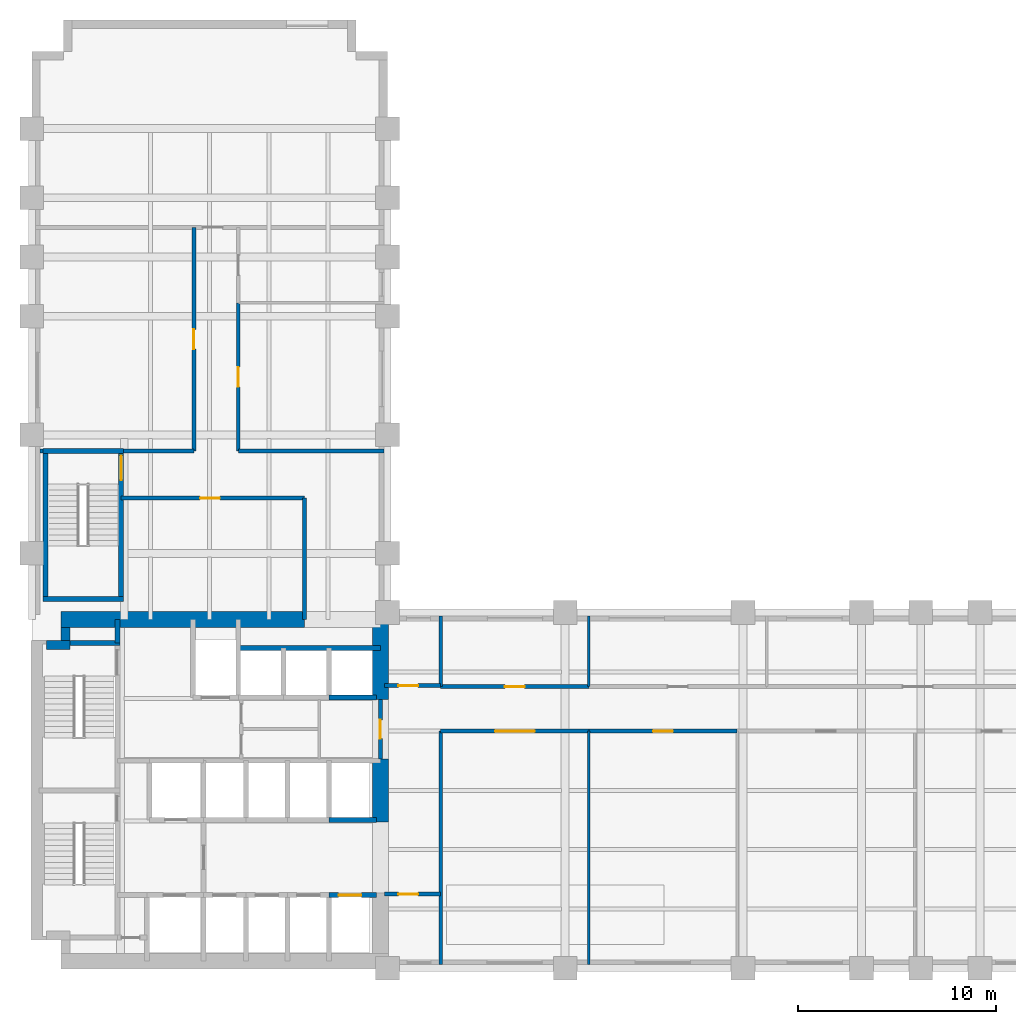
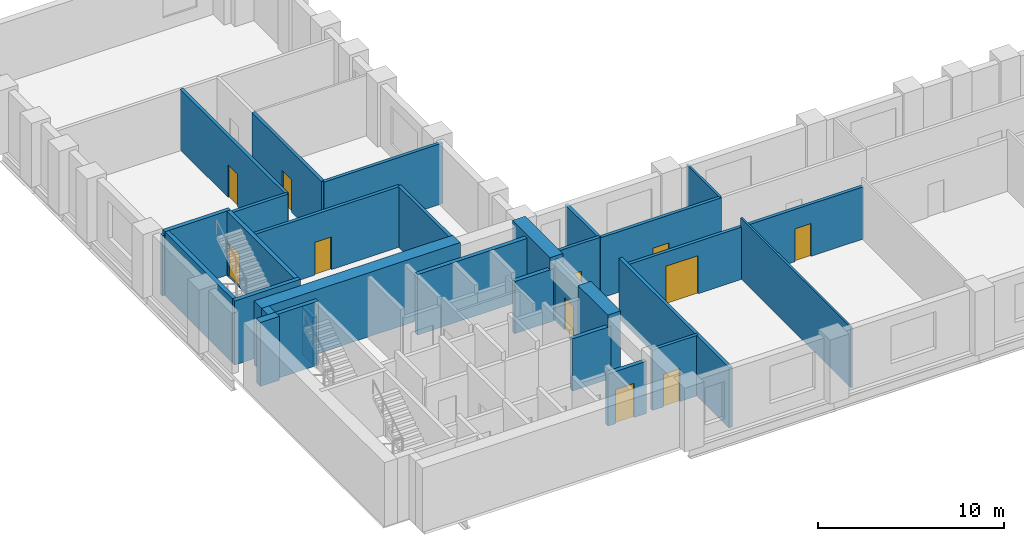
# One storey, part 4 of 7: 32 walls, 11 doors, 11 openings.
"""IFC4 building model written with IfcOpenShell, lengths in metres."""

from ifc_helpers import new_model, si_unit, direction, frame, frame_2d, origin, place, context, subcontext, project, spatial, rectangle, extrude, material, layer, layer_set, type_object, element, fill, save


model = new_model("IFC4")

# Units and contexts
model_context = context("Model", 3, precision=1e-05, world=origin(), true_north=direction((0.0, 1.0)))
body_context = subcontext(model_context, "Body", "Model", "MODEL_VIEW")
ifc_project = project(units=[si_unit("LENGTHUNIT", "METRE"), si_unit("AREAUNIT", "SQUARE_METRE"), si_unit("VOLUMEUNIT", "CUBIC_METRE"), si_unit("PLANEANGLEUNIT", "RADIAN"), si_unit("MASSUNIT", "GRAM", prefix="KILO")], contexts=[model_context])

# Site, building, storey
site_placement = place(None, origin())
site = spatial("IfcSite", under=ifc_project, at=site_placement, CompositionType="ELEMENT")
building_placement = place(site_placement, origin())
building = spatial("IfcBuilding", under=site, at=building_placement, Name="Mawjdan Bourse Tower", CompositionType="ELEMENT")
storey_placement = place(building_placement, frame((0.0, 0.0, 67.800048828125)))
storey = spatial("IfcBuildingStorey", under=building, at=storey_placement, Name="L15", CompositionType="ELEMENT", Elevation=67.800048828125)

# Wall, opening, door
ifc_material_1 = material(Name="Gypsum Fireboard Assembly")
ifc_layer_1 = layer(ifc_material_1, 0.199951171875)
ifc_layer_set_1 = layer_set([ifc_layer_1], Name="Gypsum Fireboard Assembly")
wall_type_1 = type_object("IfcWallType", Name="WL-CMP-200", PredefinedType="PARTITIONING", material=ifc_layer_set_1)
wall_1_placement = place(storey_placement, frame((23.64990234375, 13.60009765625, 0.0), z_axis=(0.0, 0.0, 1.0), x_axis=(0.0, 1.0, 0.0)))
wall_1 = element("IfcWall", 1, at=wall_1_placement, inside=storey, type_object=wall_type_1, Name="L15 Core Restroom East Enclosing Wall", PredefinedType="PARTITIONING", context=body_context, shape_type="SweptSolid", body=[
    extrude(rectangle(XDim=3.0, YDim=0.199951171875, at=frame_2d((1.5, 0.0))), origin(), (0.0, 0.0, 1.0), 3.969970703125),
])
opening_1_placement = place(wall_1_placement, frame((1.02001953125, 0.0, 0.0)))
opening_1 = element("IfcOpeningElement", 2, at=opening_1_placement, cuts=wall_1, Name="Opening D-L15-16", PredefinedType="OPENING", context=body_context, shape_type="SweptSolid", body=[
    extrude(rectangle(XDim=0.949951171875, YDim=2.10009765625, at=frame_2d((0.47509765625, 1.050048828125))), frame((0.0, 0.10986328125, 0.0), z_axis=(0.0, -1.0, 0.0), x_axis=(1.0, 0.0, 0.0)), (0.0, 0.0, 1.0), 0.219970703125),
])
ifc_material_2 = material(Name="Moisture-Resistant Laminate Timber", Category="wood")
door_type_1 = type_object("IfcDoorType", Name="DR-WET-0950", OperationType="NOTDEFINED", PredefinedType="DOOR", material=ifc_material_2)
door_1_placement = place(opening_1_placement, origin())
door_1 = element("IfcDoor", 3, at=door_1_placement, inside=storey, type_object=door_type_1, Name="L15 Female Restroom East Entry Door D-L15-16", OperationType="SINGLE_SWING_RIGHT", OverallHeight=2.10009765625, OverallWidth=0.949951171875, PredefinedType="DOOR", context=body_context, shape_type="SweptSolid", body=[
    extrude(rectangle(XDim=0.949951171875, YDim=2.10009765625, at=frame_2d((0.47509765625, 1.050048828125))), frame((0.0, 0.02490234375, 0.0), z_axis=(0.0, -1.0, 0.0), x_axis=(1.0, 0.0, 0.0)), (0.0, 0.0, 1.0), 0.050048828125),
])
fill(opening_1, door_1)

wall_2_placement = place(storey_placement, frame((23.85009765625, 6.75, 0.0), z_axis=(0.0, 0.0, 1.0), x_axis=(1.0, 0.0, 0.0)))
wall_2 = element("IfcWall", 4, at=wall_2_placement, inside=storey, type_object=wall_type_1, Name="L15 West Pocket North Wall", PredefinedType="PARTITIONING", context=body_context, shape_type="SweptSolid", body=[
    extrude(rectangle(XDim=2.849853515625, YDim=0.199951171875, at=frame_2d((1.4248046875, 0.0))), origin(), (0.0, 0.0, 1.0), 3.969970703125),
])
opening_2_placement = place(wall_2_placement, frame((0.699951171875, 0.0, 0.0)))
opening_2 = element("IfcOpeningElement", 5, at=opening_2_placement, cuts=wall_2, Name="Opening D-L15-18", PredefinedType="OPENING", context=body_context, shape_type="SweptSolid", body=[
    extrude(rectangle(XDim=1.0, YDim=2.14990234375, at=frame_2d((0.5, 1.074951171875))), frame((0.0, 0.10986328125, 0.0), z_axis=(0.0, -1.0, 0.0), x_axis=(1.0, 0.0, 0.0)), (0.0, 0.0, 1.0), 0.219970703125),
])
ifc_material_3 = material(Name="Hardwood Acoustic Leaf", Category="wood")
door_type_2 = type_object("IfcDoorType", Name="DR-OFC-1000", OperationType="NOTDEFINED", PredefinedType="DOOR", material=ifc_material_3)
door_2_placement = place(opening_2_placement, origin())
door_2 = element("IfcDoor", 6, at=door_2_placement, inside=storey, type_object=door_type_2, Name="L15 West Pocket Office Door D-L15-18", OperationType="SINGLE_SWING_RIGHT", OverallHeight=2.14990234375, OverallWidth=1.0, PredefinedType="DOOR", context=body_context, shape_type="SweptSolid", body=[
    extrude(rectangle(XDim=1.0, YDim=2.14990234375, at=frame_2d((0.5, 1.074951171875))), frame((0.0, 0.02490234375, 0.0), z_axis=(0.0, -1.0, 0.0), x_axis=(1.0, 0.0, 0.0)), (0.0, 0.0, 1.0), 0.050048828125),
])
fill(opening_2, door_2)

wall_3_placement = place(storey_placement, frame((23.85009765625, 17.300048828125, 0.0), z_axis=(0.0, 0.0, 1.0), x_axis=(1.0, 0.0, 0.0)))
wall_3 = element("IfcWall", 7, at=wall_3_placement, inside=storey, type_object=wall_type_1, Name="L15 West North Pocket Wall", PredefinedType="PARTITIONING", context=body_context, shape_type="SweptSolid", body=[
    extrude(rectangle(XDim=2.849853515625, YDim=0.199951171875, at=frame_2d((1.4248046875, 0.0))), origin(), (0.0, 0.0, 1.0), 3.969970703125),
])
opening_3_placement = place(wall_3_placement, frame((0.699951171875, 0.0, 0.0)))
opening_3 = element("IfcOpeningElement", 8, at=opening_3_placement, cuts=wall_3, Name="Opening D-L15-19", PredefinedType="OPENING", context=body_context, shape_type="SweptSolid", body=[
    extrude(rectangle(XDim=1.0, YDim=2.14990234375, at=frame_2d((0.5, 1.074951171875))), frame((0.0, 0.10986328125, 0.0), z_axis=(0.0, -1.0, 0.0), x_axis=(1.0, 0.0, 0.0)), (0.0, 0.0, 1.0), 0.219970703125),
])
door_3_placement = place(opening_3_placement, origin())
door_3 = element("IfcDoor", 9, at=door_3_placement, inside=storey, type_object=door_type_2, Name="L15 West North Pocket Door D-L15-19", OperationType="SINGLE_SWING_LEFT", OverallHeight=2.14990234375, OverallWidth=1.0, PredefinedType="DOOR", context=body_context, shape_type="SweptSolid", body=[
    extrude(rectangle(XDim=1.0, YDim=2.14990234375, at=frame_2d((0.5, 1.074951171875))), frame((0.0, 0.02490234375, 0.0), z_axis=(0.0, -1.0, 0.0), x_axis=(1.0, 0.0, 0.0)), (0.0, 0.0, 1.0), 0.050048828125),
])
fill(opening_3, door_3)

# Walls
wall_4_placement = place(storey_placement, frame((26.699951171875, 3.179931640625, 0.0), z_axis=(0.0, 0.0, 1.0), x_axis=(0.0, 1.0, 0.0)))
element("IfcWall", 10, at=wall_4_placement, inside=storey, type_object=wall_type_1, Name="L15 Vestibule South East Wall", PredefinedType="PARTITIONING", context=body_context, shape_type="SweptSolid", body=[
    extrude(rectangle(XDim=11.820068359375, YDim=0.199951171875, at=frame_2d((5.91015625, 0.0))), origin(), (0.0, 0.0, 1.0), 3.969970703125),
])
wall_5_placement = place(storey_placement, frame((26.699951171875, 17.25, 0.0), z_axis=(0.0, 0.0, 1.0), x_axis=(0.0, 1.0, 0.0)))
element("IfcWall", 11, at=wall_5_placement, inside=storey, type_object=wall_type_1, Name="L15 Vestibule North East Wall", PredefinedType="PARTITIONING", context=body_context, shape_type="SweptSolid", body=[
    extrude(rectangle(XDim=3.570068359375, YDim=0.199951171875, at=frame_2d((1.78515625, 0.0))), origin(), (0.0, 0.0, 1.0), 3.969970703125),
])

# Wall, opening, door
wall_6_placement = place(storey_placement, frame((26.699951171875, 15.0, 0.0), z_axis=(0.0, 0.0, 1.0), x_axis=(1.0, 0.0, 0.0)))
wall_6 = element("IfcWall", 12, at=wall_6_placement, inside=storey, type_object=wall_type_1, Name="L15 Trading Floor Corridor Wall", PredefinedType="PARTITIONING", context=body_context, shape_type="SweptSolid", body=[
    extrude(rectangle(XDim=7.5, YDim=0.199951171875, at=frame_2d((3.75, 0.0))), origin(), (0.0, 0.0, 1.0), 3.426025390625),
])
opening_4_placement = place(wall_6_placement, frame((2.75, 0.0, 0.0)))
opening_4 = element("IfcOpeningElement", 13, at=opening_4_placement, cuts=wall_6, Name="Opening D-L15-20", PredefinedType="OPENING", context=body_context, shape_type="SweptSolid", body=[
    extrude(rectangle(XDim=2.0, YDim=2.5, at=frame_2d((1.0, 1.25))), frame((0.0, 0.10986328125, 0.0), z_axis=(0.0, -1.0, 0.0), x_axis=(1.0, 0.0, 0.0)), (0.0, 0.0, 1.0), 0.219970703125),
])
ifc_material_4 = material(Name="Acoustic Veneered Timber", Category="wood")
door_type_3 = type_object("IfcDoorType", Name="DR-ASM-2000", OperationType="DOUBLE_DOOR_SINGLE_SWING", PredefinedType="DOOR", material=ifc_material_4)
door_4_placement = place(opening_4_placement, origin())
door_4 = element("IfcDoor", 14, at=door_4_placement, inside=storey, type_object=door_type_3, Name="L15 Trading Floor Door D-L15-20", OperationType="DOUBLE_DOOR_SINGLE_SWING", OverallHeight=2.5, OverallWidth=2.0, PredefinedType="DOOR", context=body_context, shape_type="SweptSolid", body=[
    extrude(rectangle(XDim=2.0, YDim=2.5, at=frame_2d((1.0, 1.25))), frame((0.0, 0.02490234375, 0.0), z_axis=(0.0, -1.0, 0.0), x_axis=(1.0, 0.0, 0.0)), (0.0, 0.0, 1.0), 0.050048828125),
])
fill(opening_4, door_4)

wall_7_placement = place(storey_placement, frame((34.199951171875, 15.0, 0.0), z_axis=(0.0, 0.0, 1.0), x_axis=(1.0, 0.0, 0.0)))
wall_7 = element("IfcWall", 15, at=wall_7_placement, inside=storey, type_object=wall_type_1, Name="L15 Fixed Income Office Corridor Wall", PredefinedType="PARTITIONING", context=body_context, shape_type="SweptSolid", body=[
    extrude(rectangle(XDim=7.5, YDim=0.199951171875, at=frame_2d((3.75, 0.0))), origin(), (0.0, 0.0, 1.0), 3.426025390625),
])
opening_5_placement = place(wall_7_placement, frame((3.25, 0.0, 0.0)))
opening_5 = element("IfcOpeningElement", 16, at=opening_5_placement, cuts=wall_7, Name="Opening D-L15-21", PredefinedType="OPENING", context=body_context, shape_type="SweptSolid", body=[
    extrude(rectangle(XDim=1.0, YDim=2.14990234375, at=frame_2d((0.5, 1.074951171875))), frame((0.0, 0.10986328125, 0.0), z_axis=(0.0, -1.0, 0.0), x_axis=(1.0, 0.0, 0.0)), (0.0, 0.0, 1.0), 0.219970703125),
])
door_5_placement = place(opening_5_placement, origin())
door_5 = element("IfcDoor", 17, at=door_5_placement, inside=storey, type_object=door_type_2, Name="L15 Fixed Income Office Door D-L15-21", OperationType="SINGLE_SWING_RIGHT", OverallHeight=2.14990234375, OverallWidth=1.0, PredefinedType="DOOR", context=body_context, shape_type="SweptSolid", body=[
    extrude(rectangle(XDim=1.0, YDim=2.14990234375, at=frame_2d((0.5, 1.074951171875))), frame((0.0, 0.02490234375, 0.0), z_axis=(0.0, -1.0, 0.0), x_axis=(1.0, 0.0, 0.0)), (0.0, 0.0, 1.0), 0.050048828125),
])
fill(opening_5, door_5)

wall_8_placement = place(storey_placement, frame((26.699951171875, 17.25, 0.0), z_axis=(0.0, 0.0, 1.0), x_axis=(1.0, 0.0, 0.0)))
wall_8 = element("IfcWall", 18, at=wall_8_placement, inside=storey, type_object=wall_type_1, Name="L15 Executive Office Corridor Wall", PredefinedType="PARTITIONING", context=body_context, shape_type="SweptSolid", body=[
    extrude(rectangle(XDim=7.5, YDim=0.199951171875, at=frame_2d((3.75, 0.0))), origin(), (0.0, 0.0, 1.0), 3.969970703125),
])
opening_6_placement = place(wall_8_placement, frame((3.25, 0.0, 0.0)))
opening_6 = element("IfcOpeningElement", 19, at=opening_6_placement, cuts=wall_8, Name="Opening D-L15-24", PredefinedType="OPENING", context=body_context, shape_type="SweptSolid", body=[
    extrude(rectangle(XDim=1.0, YDim=2.14990234375, at=frame_2d((0.5, 1.074951171875))), frame((0.0, 0.10986328125, 0.0), z_axis=(0.0, -1.0, 0.0), x_axis=(1.0, 0.0, 0.0)), (0.0, 0.0, 1.0), 0.219970703125),
])
door_6_placement = place(opening_6_placement, origin())
door_6 = element("IfcDoor", 20, at=door_6_placement, inside=storey, type_object=door_type_2, Name="L15 Executive Office Door D-L15-24", OperationType="SINGLE_SWING_LEFT", OverallHeight=2.14990234375, OverallWidth=1.0, PredefinedType="DOOR", context=body_context, shape_type="SweptSolid", body=[
    extrude(rectangle(XDim=1.0, YDim=2.14990234375, at=frame_2d((0.5, 1.074951171875))), frame((0.0, 0.02490234375, 0.0), z_axis=(0.0, -1.0, 0.0), x_axis=(1.0, 0.0, 0.0)), (0.0, 0.0, 1.0), 0.050048828125),
])
fill(opening_6, door_6)

wall_9_placement = place(storey_placement, frame((10.52001953125, 26.800048828125, 0.0), z_axis=(0.0, 0.0, 1.0), x_axis=(1.0, 0.0, 0.0)))
wall_9 = element("IfcWall", 21, at=wall_9_placement, inside=storey, type_object=wall_type_1, Name="L15 North Throat North Wall", PredefinedType="PARTITIONING", context=body_context, shape_type="SweptSolid", body=[
    extrude(rectangle(XDim=9.280029296875, YDim=0.199951171875, at=frame_2d((4.64013671875, 0.0))), origin(), (0.0, 0.0, 1.0), 3.969970703125),
])
opening_7_placement = place(wall_9_placement, frame((4.0, 0.0, 0.0)))
opening_7 = element("IfcOpeningElement", 22, at=opening_7_placement, cuts=wall_9, Name="Opening D-L15-28", PredefinedType="OPENING", context=body_context, shape_type="SweptSolid", body=[
    extrude(rectangle(XDim=1.0, YDim=2.14990234375, at=frame_2d((0.5, 1.074951171875))), frame((0.0, 0.10986328125, 0.0), z_axis=(0.0, -1.0, 0.0), x_axis=(1.0, 0.0, 0.0)), (0.0, 0.0, 1.0), 0.219970703125),
])
door_7_placement = place(opening_7_placement, origin())
door_7 = element("IfcDoor", 23, at=door_7_placement, inside=storey, type_object=door_type_2, Name="L15 North Throat Suite Door D-L15-28", OperationType="SINGLE_SWING_RIGHT", OverallHeight=2.14990234375, OverallWidth=1.0, PredefinedType="DOOR", context=body_context, shape_type="SweptSolid", body=[
    extrude(rectangle(XDim=1.0, YDim=2.14990234375, at=frame_2d((0.5, 1.074951171875))), frame((0.0, 0.02490234375, 0.0), z_axis=(0.0, -1.0, 0.0), x_axis=(1.0, 0.0, 0.0)), (0.0, 0.0, 1.0), 0.050048828125),
])
fill(opening_7, door_7)

# Walls
wall_10_placement = place(storey_placement, frame((19.800048828125, 20.64990234375, 0.0), z_axis=(0.0, 0.0, 1.0), x_axis=(0.0, 1.0, 0.0)))
element("IfcWall", 24, at=wall_10_placement, inside=storey, type_object=wall_type_1, Name="L15 North Throat East Wall", PredefinedType="PARTITIONING", context=body_context, shape_type="SweptSolid", body=[
    extrude(rectangle(XDim=6.150146484375, YDim=0.199951171875, at=frame_2d((3.0751953125, 0.0))), origin(), (0.0, 0.0, 1.0), 3.969970703125),
])
wall_11_placement = place(storey_placement, frame((6.419921875, 29.179931640625, 0.0), z_axis=(0.0, 0.0, 1.0), x_axis=(1.0, 0.0, 0.0)))
element("IfcWall", 25, at=wall_11_placement, inside=storey, type_object=wall_type_1, Name="L15 North West Band ST3 West Return", PredefinedType="PARTITIONING", context=body_context, shape_type="SweptSolid", body=[
    extrude(rectangle(XDim=0.135009765625, YDim=0.199951171875, at=frame_2d((0.0673828125, 0.0))), origin(), (0.0, 0.0, 1.0), 3.969970703125),
])
wall_12_placement = place(storey_placement, frame((10.6298828125, 29.179931640625, 0.0), z_axis=(0.0, 0.0, 1.0), x_axis=(1.0, 0.0, 0.0)))
element("IfcWall", 26, at=wall_12_placement, inside=storey, type_object=wall_type_1, Name="L15 North West Band South Wall", PredefinedType="PARTITIONING", context=body_context, shape_type="SweptSolid", body=[
    extrude(rectangle(XDim=3.570068359375, YDim=0.199951171875, at=frame_2d((1.78515625, 0.0))), origin(), (0.0, 0.0, 1.0), 3.969970703125),
])
wall_13_placement = place(storey_placement, frame((16.449951171875, 29.179931640625, 0.0), z_axis=(0.0, 0.0, 1.0), x_axis=(1.0, 0.0, 0.0)))
element("IfcWall", 27, at=wall_13_placement, inside=storey, type_object=wall_type_1, Name="L15 North East Band South Wall", PredefinedType="PARTITIONING", context=body_context, shape_type="SweptSolid", body=[
    extrude(rectangle(XDim=7.3701171875, YDim=0.199951171875, at=frame_2d((3.68505859375, 0.0))), origin(), (0.0, 0.0, 1.0), 3.969970703125),
])

# Wall, opening, door
wall_14_placement = place(storey_placement, frame((14.199951171875, 29.179931640625, 0.0), z_axis=(0.0, 0.0, 1.0), x_axis=(0.0, 1.0, 0.0)))
wall_14 = element("IfcWall", 28, at=wall_14_placement, inside=storey, type_object=wall_type_1, Name="L15 Fixed Income Office Corridor Wall", PredefinedType="PARTITIONING", context=body_context, shape_type="SweptSolid", body=[
    extrude(rectangle(XDim=11.320068359375, YDim=0.199951171875, at=frame_2d((5.66015625, 0.0))), origin(), (0.0, 0.0, 1.0), 3.969970703125),
])
opening_8_placement = place(wall_14_placement, frame((5.159912109375, 0.0, 0.0)))
opening_8 = element("IfcOpeningElement", 29, at=opening_8_placement, cuts=wall_14, Name="Opening D-L15-29", PredefinedType="OPENING", context=body_context, shape_type="SweptSolid", body=[
    extrude(rectangle(XDim=1.0, YDim=2.14990234375, at=frame_2d((0.5, 1.074951171875))), frame((0.0, 0.10986328125, 0.0), z_axis=(0.0, -1.0, 0.0), x_axis=(1.0, 0.0, 0.0)), (0.0, 0.0, 1.0), 0.219970703125),
])
door_8_placement = place(opening_8_placement, origin())
door_8 = element("IfcDoor", 30, at=door_8_placement, inside=storey, type_object=door_type_2, Name="L15 Fixed Income Office Door D-L15-29", OperationType="SINGLE_SWING_LEFT", OverallHeight=2.14990234375, OverallWidth=1.0, PredefinedType="DOOR", context=body_context, shape_type="SweptSolid", body=[
    extrude(rectangle(XDim=1.0, YDim=2.14990234375, at=frame_2d((0.5, 1.074951171875))), frame((0.0, 0.02490234375, 0.0), z_axis=(0.0, -1.0, 0.0), x_axis=(1.0, 0.0, 0.0)), (0.0, 0.0, 1.0), 0.050048828125),
])
fill(opening_8, door_8)

wall_15_placement = place(storey_placement, frame((16.449951171875, 29.179931640625, 0.0), z_axis=(0.0, 0.0, 1.0), x_axis=(0.0, 1.0, 0.0)))
wall_15 = element("IfcWall", 31, at=wall_15_placement, inside=storey, type_object=wall_type_1, Name="L15 Training Seminar Room Corridor Wall", PredefinedType="PARTITIONING", context=body_context, shape_type="SweptSolid", body=[
    extrude(rectangle(XDim=7.5, YDim=0.199951171875, at=frame_2d((3.75, 0.0))), origin(), (0.0, 0.0, 1.0), 3.969970703125),
])
opening_9_placement = place(wall_15_placement, frame((3.25, 0.0, 0.0)))
opening_9 = element("IfcOpeningElement", 32, at=opening_9_placement, cuts=wall_15, Name="Opening D-L15-30", PredefinedType="OPENING", context=body_context, shape_type="SweptSolid", body=[
    extrude(rectangle(XDim=1.0, YDim=2.14990234375, at=frame_2d((0.5, 1.074951171875))), frame((0.0, 0.10986328125, 0.0), z_axis=(0.0, -1.0, 0.0), x_axis=(1.0, 0.0, 0.0)), (0.0, 0.0, 1.0), 0.219970703125),
])
door_9_placement = place(opening_9_placement, origin())
door_9 = element("IfcDoor", 33, at=door_9_placement, inside=storey, type_object=door_type_2, Name="L15 Training Seminar Room Door D-L15-30", OperationType="SINGLE_SWING_RIGHT", OverallHeight=2.14990234375, OverallWidth=1.0, PredefinedType="DOOR", context=body_context, shape_type="SweptSolid", body=[
    extrude(rectangle(XDim=1.0, YDim=2.14990234375, at=frame_2d((0.5, 1.074951171875))), frame((0.0, 0.02490234375, 0.0), z_axis=(0.0, -1.0, 0.0), x_axis=(1.0, 0.0, 0.0)), (0.0, 0.0, 1.0), 0.050048828125),
])
fill(opening_9, door_9)

# Walls
ifc_material_5 = material(Name="Concrete C60/75", Category="concrete")
ifc_layer_2 = layer(ifc_material_5, 0.449951171875)
ifc_layer_set_2 = layer_set([ifc_layer_2], Name="Concrete C60/75")
wall_type_2 = type_object("IfcWallType", Name="WL-CORE-450", PredefinedType="SHEAR", material=ifc_layer_set_2)
wall_16_placement = place(storey_placement, frame((6.75, 19.35009765625, 0.0), z_axis=(0.0, 0.0, 1.0), x_axis=(1.0, 0.0, 0.0)))
element("IfcWall", 34, at=wall_16_placement, inside=storey, type_object=wall_type_2, Name="L15 Rear Core Shear Wall NW-X", PredefinedType="SHEAR", context=body_context, shape_type="SweptSolid", body=[
    extrude(rectangle(XDim=1.175048828125, YDim=0.449951171875, at=frame_2d((0.58740234375, 0.0))), origin(), (0.0, 0.0, 1.0), 4.199951171875),
])
wall_17_placement = place(storey_placement, frame((7.699951171875, 19.574951171875, 0.0), z_axis=(0.0, 0.0, 1.0), x_axis=(0.0, 1.0, 0.0)))
element("IfcWall", 35, at=wall_17_placement, inside=storey, type_object=wall_type_2, Name="L15 Rear Core Shear Wall NW-Y", PredefinedType="SHEAR", context=body_context, shape_type="SweptSolid", body=[
    extrude(rectangle(XDim=0.675048828125, YDim=0.449951171875, at=frame_2d((0.33740234375, 0.0))), origin(), (0.0, 0.0, 1.0), 4.199951171875),
])
ifc_material_6 = material(Name="Concrete C80/95", Category="concrete")
ifc_layer_3 = layer(ifc_material_6, 0.800048828125)
ifc_layer_set_3 = layer_set([ifc_layer_3], Name="Concrete C80/95")
wall_type_3 = type_object("IfcWallType", Name="WL-CORE-800", PredefinedType="SHEAR", material=ifc_layer_set_3)
wall_18_placement = place(storey_placement, frame((7.47509765625, 20.64990234375, 0.0), z_axis=(0.0, 0.0, 1.0), x_axis=(1.0, 0.0, 0.0)))
element("IfcWall", 36, at=wall_18_placement, inside=storey, type_object=wall_type_3, Name="L15 Rear Core Shear Wall N", PredefinedType="SHEAR", context=body_context, shape_type="SweptSolid", body=[
    extrude(rectangle(XDim=12.324951171875, YDim=0.800048828125, at=frame_2d((6.16259765625, 0.0))), origin(), (0.0, 0.0, 1.0), 4.199951171875),
])
wall_19_placement = place(storey_placement, frame((23.64990234375, 10.39990234375, 0.0), z_axis=(0.0, 0.0, 1.0), x_axis=(0.0, 1.0, 0.0)))
element("IfcWall", 37, at=wall_19_placement, inside=storey, type_object=wall_type_3, Name="L15 Rear Core Shear Wall E2", PredefinedType="SHEAR", context=body_context, shape_type="SweptSolid", body=[
    extrude(rectangle(XDim=3.2001953125, YDim=0.800048828125, at=frame_2d((1.60009765625, 0.0))), origin(), (0.0, 0.0, 1.0), 4.199951171875),
])
wall_20_placement = place(storey_placement, frame((23.64990234375, 16.60009765625, 0.0), z_axis=(0.0, 0.0, 1.0), x_axis=(0.0, 1.0, 0.0)))
element("IfcWall", 38, at=wall_20_placement, inside=storey, type_object=wall_type_3, Name="L15 Rear Core Shear Wall E3", PredefinedType="SHEAR", context=body_context, shape_type="SweptSolid", body=[
    extrude(rectangle(XDim=4.0498046875, YDim=0.800048828125, at=frame_2d((2.02490234375, 0.0))), origin(), (0.0, 0.0, 1.0), 4.199951171875),
])
ifc_material_7 = material(Name="Gypsum Partition")
ifc_layer_4 = layer(ifc_material_7, 0.125)
ifc_layer_set_4 = layer_set([ifc_layer_4], Name="Gypsum Partition")
wall_type_4 = type_object("IfcWallType", Name="WL-PRT-125", PredefinedType="PARTITIONING", material=ifc_layer_set_4)
wall_21_placement = place(storey_placement, frame((34.199951171875, 3.179931640625, 0.0), z_axis=(0.0, 0.0, 1.0), x_axis=(0.0, 1.0, 0.0)))
element("IfcWall", 39, at=wall_21_placement, inside=storey, type_object=wall_type_4, Name="L15 Fixed Income Office Partition", PredefinedType="PARTITIONING", context=body_context, shape_type="SweptSolid", body=[
    extrude(rectangle(XDim=11.820068359375, YDim=0.125, at=frame_2d((5.91015625, 0.0))), origin(), (0.0, 0.0, 1.0), 3.969970703125),
])
wall_22_placement = place(storey_placement, frame((34.199951171875, 17.25, 0.0), z_axis=(0.0, 0.0, 1.0), x_axis=(0.0, 1.0, 0.0)))
element("IfcWall", 40, at=wall_22_placement, inside=storey, type_object=wall_type_4, Name="L15 Training Seminar Room Partition", PredefinedType="PARTITIONING", context=body_context, shape_type="SweptSolid", body=[
    extrude(rectangle(XDim=3.570068359375, YDim=0.125, at=frame_2d((1.78515625, 0.0))), origin(), (0.0, 0.0, 1.0), 3.969970703125),
])
ifc_material_8 = material(Name="Concrete C50/60", Category="concrete")
ifc_layer_5 = layer(ifc_material_8, 0.25)
ifc_layer_set_5 = layer_set([ifc_layer_5], Name="Concrete C50/60")
wall_type_5 = type_object("IfcWallType", Name="WL-SHFT-250", PredefinedType="PARTITIONING", material=ifc_layer_set_5)
wall_23_placement = place(storey_placement, frame((10.330078125, 19.449951171875, 0.0), z_axis=(0.0, 0.0, 1.0), x_axis=(0.0, 1.0, 0.0)))
element("IfcWall", 41, at=wall_23_placement, inside=storey, type_object=wall_type_5, Name="L15 NW Riser East Wall", PredefinedType="PARTITIONING", context=body_context, shape_type="SweptSolid", body=[
    extrude(rectangle(XDim=1.199951171875, YDim=0.25, at=frame_2d((0.60009765625, 0.0))), origin(), (0.0, 0.0, 1.0), 3.114013671875),
])
wall_24_placement = place(storey_placement, frame((21.050048828125, 16.699951171875, 0.0), z_axis=(0.0, 0.0, 1.0), x_axis=(1.0, 0.0, 0.0)))
element("IfcWall", 42, at=wall_24_placement, inside=storey, type_object=wall_type_5, Name="L15 PH-03 Front Wall", PredefinedType="PARTITIONING", context=body_context, shape_type="SweptSolid", body=[
    extrude(rectangle(XDim=2.39990234375, YDim=0.25, at=frame_2d((1.199951171875, 0.0))), origin(), (0.0, 0.0, 1.0), 3.426025390625),
])
wall_25_placement = place(storey_placement, frame((16.449951171875, 19.199951171875, 0.0), z_axis=(0.0, 0.0, 1.0), x_axis=(1.0, 0.0, 0.0)))
element("IfcWall", 43, at=wall_25_placement, inside=storey, type_object=wall_type_5, Name="L15 PH Bank North Shaft Back Wall", PredefinedType="PARTITIONING", context=body_context, shape_type="SweptSolid", body=[
    extrude(rectangle(XDim=7.199951171875, YDim=0.25, at=frame_2d((3.60009765625, 0.0))), origin(), (0.0, 0.0, 1.0), 3.969970703125),
])

# Wall, opening, door
wall_26_placement = place(storey_placement, frame((21.050048828125, 6.699951171875, 0.0), z_axis=(0.0, 0.0, 1.0), x_axis=(1.0, 0.0, 0.0)))
wall_26 = element("IfcWall", 44, at=wall_26_placement, inside=storey, type_object=wall_type_5, Name="L15 PL-03 Front Wall", PredefinedType="PARTITIONING", context=body_context, shape_type="SweptSolid", body=[
    extrude(rectangle(XDim=2.39990234375, YDim=0.25, at=frame_2d((1.199951171875, 0.0))), origin(), (0.0, 0.0, 1.0), 3.426025390625),
])
opening_10_placement = place(wall_26_placement, frame((0.47998046875, 0.0, 0.0)))
opening_10 = element("IfcOpeningElement", 45, at=opening_10_placement, cuts=wall_26, Name="Opening LD-L15-13", PredefinedType="OPENING", context=body_context, shape_type="SweptSolid", body=[
    extrude(rectangle(XDim=1.14990234375, YDim=2.25, at=frame_2d((0.574951171875, 1.125))), frame((0.0, 0.135009765625, 0.0), z_axis=(0.0, -1.0, 0.0), x_axis=(1.0, 0.0, 0.0)), (0.0, 0.0, 1.0), 0.27001953125),
])
ifc_material_9 = material(Name="Brushed Stainless Steel", Category="steel")
door_type_4 = type_object("IfcDoorType", Name="LD-PAS-1150", OperationType="DOUBLE_DOOR_SLIDING", PredefinedType="DOOR", material=ifc_material_9)
door_10_placement = place(opening_10_placement, origin())
door_10 = element("IfcDoor", 46, at=door_10_placement, inside=storey, type_object=door_type_4, Name="L15 Lift PL-03 Landing Door LD-L15-13", OperationType="DOUBLE_DOOR_SLIDING", OverallHeight=2.25, OverallWidth=1.14990234375, PredefinedType="DOOR", context=body_context, shape_type="SweptSolid", body=[
    extrude(rectangle(XDim=1.14990234375, YDim=2.25, at=frame_2d((0.574951171875, 1.125))), frame((0.0, 0.02490234375, 0.0), z_axis=(0.0, -1.0, 0.0), x_axis=(1.0, 0.0, 0.0)), (0.0, 0.0, 1.0), 0.050048828125),
])
fill(opening_10, door_10)

# Walls
wall_27_placement = place(storey_placement, frame((21.050048828125, 10.5, 0.0), z_axis=(0.0, 0.0, 1.0), x_axis=(1.0, 0.0, 0.0)))
element("IfcWall", 47, at=wall_27_placement, inside=storey, type_object=wall_type_5, Name="L15 PM-04 Front Wall", PredefinedType="PARTITIONING", context=body_context, shape_type="SweptSolid", body=[
    extrude(rectangle(XDim=2.39990234375, YDim=0.25, at=frame_2d((1.199951171875, 0.0))), origin(), (0.0, 0.0, 1.0), 3.426025390625),
])
ifc_layer_6 = layer(ifc_material_8, 0.25)
ifc_layer_set_6 = layer_set([ifc_layer_6], Name="Concrete C50/60")
wall_type_6 = type_object("IfcWallType", Name="WL-STRW-250", PredefinedType="SHEAR", material=ifc_layer_set_6)
wall_28_placement = place(storey_placement, frame((7.699951171875, 19.449951171875, 0.0), z_axis=(0.0, 0.0, 1.0), x_axis=(1.0, 0.0, 0.0)))
element("IfcWall", 48, at=wall_28_placement, inside=storey, type_object=wall_type_6, Name="L15 Stairwell ST2 North Shaft Wall", PredefinedType="SHEAR", context=body_context, shape_type="SweptSolid", body=[
    extrude(rectangle(XDim=2.755126953125, YDim=0.25, at=frame_2d((1.37744140625, 0.0))), origin(), (0.0, 0.0, 1.0), 4.199951171875),
])
for number, where, z_axis, x_axis, name in (
    (49, (6.554931640625, 21.679931640625, 0.0), (0.0, 0.0, 1.0), (1.0, 0.0, 0.0), "L15 ST3 South Shaft Wall"),
    (50, (6.554931640625, 29.179931640625, 0.0), (0.0, 0.0, 1.0), (1.0, 0.0, 0.0), "L15 ST3 North Shaft Wall"),
):
    element("IfcWall", number, at=place(storey_placement, frame(where, z_axis=z_axis, x_axis=x_axis)), inside=storey, type_object=wall_type_6, Name=name, PredefinedType="SHEAR", context=body_context, shape_type="SweptSolid", body=[
        extrude(rectangle(XDim=4.090087890625, YDim=0.25, at=frame_2d((2.044921875, 0.0))), origin(), (0.0, 0.0, 1.0), 4.199951171875),
    ])
wall_29_placement = place(storey_placement, frame((6.679931640625, 21.679931640625, 0.0), z_axis=(0.0, 0.0, 1.0), x_axis=(0.0, 1.0, 0.0)))
element("IfcWall", 51, at=wall_29_placement, inside=storey, type_object=wall_type_6, Name="L15 ST3 West Shaft Wall", PredefinedType="SHEAR", context=body_context, shape_type="SweptSolid", body=[
    extrude(rectangle(XDim=7.5, YDim=0.25, at=frame_2d((3.75, 0.0))), origin(), (0.0, 0.0, 1.0), 4.199951171875),
])

# Wall, opening, door
wall_30_placement = place(storey_placement, frame((10.52001953125, 21.679931640625, 0.0), z_axis=(0.0, 0.0, 1.0), x_axis=(0.0, 1.0, 0.0)))
wall_30 = element("IfcWall", 52, at=wall_30_placement, inside=storey, type_object=wall_type_6, Name="L15 ST3 East Shaft Wall", PredefinedType="SHEAR", context=body_context, shape_type="SweptSolid", body=[
    extrude(rectangle(XDim=7.5, YDim=0.25, at=frame_2d((3.75, 0.0))), origin(), (0.0, 0.0, 1.0), 4.199951171875),
])
opening_11_placement = place(wall_30_placement, frame((6.02001953125, 0.0, 0.0)))
opening_11 = element("IfcOpeningElement", 53, at=opening_11_placement, cuts=wall_30, Name="Opening SD-L15-17", PredefinedType="OPENING", context=body_context, shape_type="SweptSolid", body=[
    extrude(rectangle(XDim=1.25, YDim=2.199951171875, at=frame_2d((0.625, 1.10009765625))), frame((0.0, 0.135009765625, 0.0), z_axis=(0.0, -1.0, 0.0), x_axis=(1.0, 0.0, 0.0)), (0.0, 0.0, 1.0), 0.27001953125),
])
ifc_material_10 = material(Name="Fire-Rated Steel Leaf", Category="steel")
door_type_5 = type_object("IfcDoorType", Name="FD-ST-1250", OperationType="NOTDEFINED", PredefinedType="DOOR", material=ifc_material_10)
door_11_placement = place(opening_11_placement, origin())
door_11 = element("IfcDoor", 54, at=door_11_placement, inside=storey, type_object=door_type_5, Name="L15 Stair ST3 Fire Door SD-L15-17", OperationType="SINGLE_SWING_LEFT", OverallHeight=2.199951171875, OverallWidth=1.25, PredefinedType="DOOR", context=body_context, shape_type="SweptSolid", body=[
    extrude(rectangle(XDim=1.25, YDim=2.199951171875, at=frame_2d((0.625, 1.10009765625))), frame((0.0, 0.02490234375, 0.0), z_axis=(0.0, -1.0, 0.0), x_axis=(1.0, 0.0, 0.0)), (0.0, 0.0, 1.0), 0.050048828125),
])
fill(opening_11, door_11)

save(model, "model.ifc")
